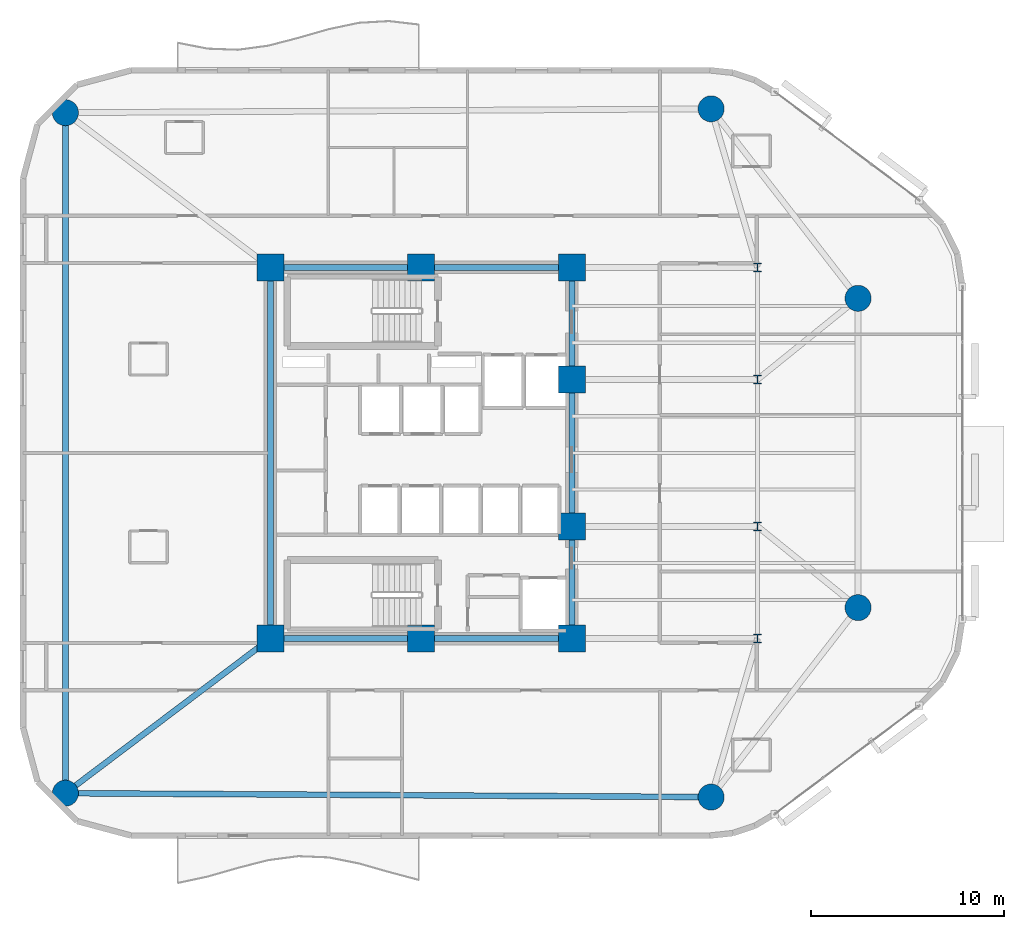
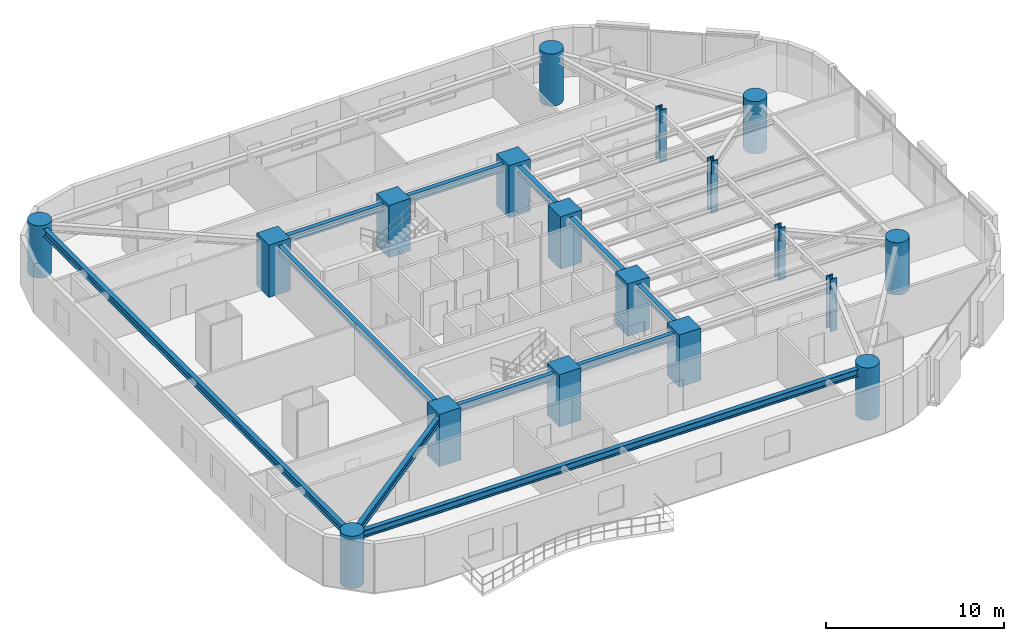
# One storey, part 1 of 15: 18 columns, 9 beams.
"""IFC4 building model written with IfcOpenShell, lengths in metres."""

from ifc_helpers import new_model, si_unit, direction, frame, origin, origin_2d, place, context, subcontext, project, spatial, rectangle, circle, i_section, extrude, material, material_profile, profile_set, type_object, element, save


model = new_model("IFC4")

# Units and contexts
model_context = context("Model", 3, precision=1e-05, world=origin(), true_north=direction((0.0, 1.0)))
body_context = subcontext(model_context, "Body", "Model", "MODEL_VIEW")
ifc_project = project(units=[si_unit("LENGTHUNIT", "METRE"), si_unit("AREAUNIT", "SQUARE_METRE"), si_unit("VOLUMEUNIT", "CUBIC_METRE"), si_unit("PLANEANGLEUNIT", "RADIAN"), si_unit("MASSUNIT", "GRAM", prefix="KILO")], contexts=[model_context])

# Site, building, storey
site_placement = place(None, origin())
site = spatial("IfcSite", under=ifc_project, at=site_placement, CompositionType="ELEMENT")
building_placement = place(site_placement, origin())
building = spatial("IfcBuilding", under=site, at=building_placement, Name="An Khanh Terracotta Commons", CompositionType="ELEMENT")
storey_placement = place(building_placement, frame((0.0, 0.0, 129.5)))
storey = spatial("IfcBuildingStorey", under=building, at=storey_placement, Name="L34", CompositionType="ELEMENT", Elevation=129.5)

# Columns
ifc_material_1 = material(Name="Concrete C70/85", Category="concrete")
ifc_material_profile_1 = material_profile(ifc_material_1, circle(Radius=0.675048828125, at=origin_2d()), Name="CFST1350")
ifc_profile_set_1 = profile_set([ifc_material_profile_1], Name="Concrete C70/85")
column_type_1 = type_object("IfcColumnType", Name="COL-CFST1350", PredefinedType="COLUMN", material=ifc_profile_set_1)
for number, where, z_axis, x_axis, name in (
    (1, (11.0, 6.39990234375, 0.0), (0.0, 0.0, 1.0), (1.0, 0.0, 0.0), "L34 Perimeter CFST Mega-Column MC-01"),
    (2, (44.39990234375, 6.199951171875, 0.0), (0.0, 0.0, 1.0), (1.0, 0.0, 0.0), "L34 Perimeter CFST Mega-Column MC-02"),
    (3, (52.0, 16.0, 0.0), (0.0, 0.0, 1.0), (1.0, 0.0, 0.0), "L34 Perimeter CFST Mega-Column MC-03"),
    (4, (52.0, 32.0, 0.0), (0.0, 0.0, 1.0), (1.0, 0.0, 0.0), "L34 Perimeter CFST Mega-Column MC-04"),
    (5, (44.39990234375, 41.800048828125, 0.0), (0.0, 0.0, 1.0), (1.0, 0.0, 0.0), "L34 Perimeter CFST Mega-Column MC-05"),
    (6, (11.0, 41.60009765625, 0.0), (0.0, 0.0, 1.0), (1.0, 0.0, 0.0), "L34 Perimeter CFST Mega-Column MC-06"),
):
    element("IfcColumn", number, at=place(storey_placement, frame(where, z_axis=z_axis, x_axis=x_axis)), inside=storey, type_object=column_type_1, Name=name, PredefinedType="COLUMN", context=body_context, shape_type="SweptSolid", body=[
        extrude(circle(Radius=0.675048828125, at=origin_2d()), origin(), (0.0, 0.0, 1.0), 3.60009765625),
    ])
ifc_material_2 = material(Name="Steel S460ML", Category="steel")
ifc_material_profile_2 = material_profile(ifc_material_2, i_section(OverallWidth=0.4169921875, OverallDepth=0.47705078125, WebThickness=0.035888671875, FlangeThickness=0.057373046875, FilletRadius=0.014892578125, at=origin_2d()), Name="HD400x463")
ifc_profile_set_2 = profile_set([ifc_material_profile_2], Name="Steel S460ML")
column_type_2 = type_object("IfcColumnType", Name="COL-HD400x463", PredefinedType="COLUMN", material=ifc_profile_set_2)
for number, where, z_axis, x_axis, name in (
    (7, (46.800048828125, 14.39990234375, 0.0), (0.0, 0.0, 1.0), (1.0, 0.0, 0.0), "L34 Interior Frame Column TC-01"),
    (8, (46.800048828125, 20.199951171875, 0.0), (0.0, 0.0, 1.0), (1.0, 0.0, 0.0), "L34 Interior Frame Column TC-02"),
    (9, (46.800048828125, 27.800048828125, 0.0), (0.0, 0.0, 1.0), (1.0, 0.0, 0.0), "L34 Interior Frame Column TC-03"),
    (10, (46.800048828125, 33.60009765625, 0.0), (0.0, 0.0, 1.0), (1.0, 0.0, 0.0), "L34 Interior Frame Column TC-04"),
):
    element("IfcColumn", number, at=place(storey_placement, frame(where, z_axis=z_axis, x_axis=x_axis)), inside=storey, type_object=column_type_2, Name=name, PredefinedType="COLUMN", context=body_context, shape_type="SweptSolid", body=[
        extrude(i_section(OverallWidth=0.4169921875, OverallDepth=0.47705078125, WebThickness=0.035888671875, FlangeThickness=0.057373046875, FilletRadius=0.014892578125, at=origin_2d()), origin(), (0.0, 0.0, 1.0), 3.60009765625),
    ])
ifc_material_profile_3 = material_profile(ifc_material_1, rectangle(XDim=1.39990234375, YDim=1.39990234375, at=origin_2d()), Name="RC1400x1400")
ifc_profile_set_3 = profile_set([ifc_material_profile_3], Name="Concrete C70/85")
column_type_3 = type_object("IfcColumnType", Name="COL-RC1400x1400", PredefinedType="COLUMN", material=ifc_profile_set_3)
for number, where, z_axis, x_axis, name in (
    (11, (21.60009765625, 14.39990234375, 0.0), (0.0, 0.0, 1.0), (1.0, 0.0, 0.0), "L34 Core Boundary Column CC-01"),
    (12, (29.39990234375, 14.39990234375, 0.0), (0.0, 0.0, 1.0), (1.0, 0.0, 0.0), "L34 Core Boundary Column CC-02"),
    (13, (37.199951171875, 14.39990234375, 0.0), (0.0, 0.0, 1.0), (1.0, 0.0, 0.0), "L34 Core Boundary Column CC-03"),
    (14, (37.199951171875, 20.199951171875, 0.0), (0.0, 0.0, 1.0), (1.0, 0.0, 0.0), "L34 Core Boundary Column CC-04"),
    (15, (37.199951171875, 27.800048828125, 0.0), (0.0, 0.0, 1.0), (1.0, 0.0, 0.0), "L34 Core Boundary Column CC-05"),
    (16, (37.199951171875, 33.60009765625, 0.0), (0.0, 0.0, 1.0), (1.0, 0.0, 0.0), "L34 Core Boundary Column CC-06"),
    (17, (29.39990234375, 33.60009765625, 0.0), (0.0, 0.0, 1.0), (1.0, 0.0, 0.0), "L34 Core Boundary Column CC-07"),
    (18, (21.60009765625, 33.60009765625, 0.0), (0.0, 0.0, 1.0), (1.0, 0.0, 0.0), "L34 Core Boundary Column CC-08"),
):
    element("IfcColumn", number, at=place(storey_placement, frame(where, z_axis=z_axis, x_axis=x_axis)), inside=storey, type_object=column_type_3, Name=name, PredefinedType="COLUMN", context=body_context, shape_type="SweptSolid", body=[
        extrude(rectangle(XDim=1.39990234375, YDim=1.39990234375, at=origin_2d()), origin(), (0.0, 0.0, 1.0), 3.60009765625),
    ])

# Beams
ifc_material_3 = material(Name="Steel S355J2", Category="steel")
ifc_material_profile_4 = material_profile(ifc_material_3, i_section(OverallWidth=0.300048828125, OverallDepth=0.449951171875, WebThickness=0.013916015625, FlangeThickness=0.02587890625, FilletRadius=0.027099609375, at=origin_2d()), Name="HEB450")
ifc_profile_set_4 = profile_set([ifc_material_profile_4], Name="Steel S355J2")
beam_type_1 = type_object("IfcBeamType", Name="BM-HEB450", PredefinedType="BEAM", material=ifc_profile_set_4)
beam_1_placement = place(storey_placement, frame((37.199951171875, 14.39990234375, 3.135009765625), z_axis=(0.0, 1.0, 0.0), x_axis=(-1.0, 0.0, 0.0)))
element("IfcBeam", 19, at=beam_1_placement, inside=storey, type_object=beam_type_1, Name="L34 Core East Coupling Girder 1", PredefinedType="BEAM", context=body_context, shape_type="SweptSolid", body=[
    extrude(i_section(OverallWidth=0.300048828125, OverallDepth=0.449951171875, WebThickness=0.013916015625, FlangeThickness=0.02587890625, FilletRadius=0.027099609375, at=origin_2d()), origin(), (0.0, 0.0, 1.0), 5.800048828125),
])
beam_2_placement = place(storey_placement, frame((37.199951171875, 20.199951171875, 3.135009765625), z_axis=(0.0, 1.0, 0.0), x_axis=(-1.0, 0.0, 0.0)))
element("IfcBeam", 20, at=beam_2_placement, inside=storey, type_object=beam_type_1, Name="L34 Core East Coupling Girder 2", PredefinedType="BEAM", context=body_context, shape_type="SweptSolid", body=[
    extrude(i_section(OverallWidth=0.300048828125, OverallDepth=0.449951171875, WebThickness=0.013916015625, FlangeThickness=0.02587890625, FilletRadius=0.027099609375, at=origin_2d()), origin(), (0.0, 0.0, 1.0), 7.60009765625),
])
beam_3_placement = place(storey_placement, frame((37.199951171875, 27.800048828125, 3.135009765625), z_axis=(0.0, 1.0, 0.0), x_axis=(-1.0, 0.0, 0.0)))
element("IfcBeam", 21, at=beam_3_placement, inside=storey, type_object=beam_type_1, Name="L34 Core East Coupling Girder 3", PredefinedType="BEAM", context=body_context, shape_type="SweptSolid", body=[
    extrude(i_section(OverallWidth=0.300048828125, OverallDepth=0.449951171875, WebThickness=0.013916015625, FlangeThickness=0.02587890625, FilletRadius=0.027099609375, at=origin_2d()), origin(), (0.0, 0.0, 1.0), 5.800048828125),
])
beam_4_placement = place(storey_placement, frame((21.60009765625, 14.39990234375, 3.135009765625), z_axis=(0.0, 1.0, 0.0), x_axis=(-1.0, 0.0, 0.0)))
element("IfcBeam", 22, at=beam_4_placement, inside=storey, type_object=beam_type_1, Name="L34 Core West Coupling Girder", PredefinedType="BEAM", context=body_context, shape_type="SweptSolid", body=[
    extrude(i_section(OverallWidth=0.300048828125, OverallDepth=0.449951171875, WebThickness=0.013916015625, FlangeThickness=0.02587890625, FilletRadius=0.027099609375, at=origin_2d()), origin(), (0.0, 0.0, 1.0), 19.2001953125),
])
ifc_material_profile_5 = material_profile(ifc_material_3, i_section(OverallWidth=0.300048828125, OverallDepth=0.5, WebThickness=0.014404296875, FlangeThickness=0.028076171875, FilletRadius=0.027099609375, at=origin_2d()), Name="HEB500")
ifc_profile_set_5 = profile_set([ifc_material_profile_5], Name="Steel S355J2")
beam_type_2 = type_object("IfcBeamType", Name="BM-HEB500", PredefinedType="BEAM", material=ifc_profile_set_5)
for number, where, z_axis, x_axis, name in (
    (23, (21.60009765625, 14.39990234375, 3.110107421875), (1.0, 0.0, 0.0), (0.0, 1.0, 0.0), "L34 Core South Coupling Girder"),
    (24, (21.60009765625, 33.60009765625, 3.110107421875), (1.0, 0.0, 0.0), (0.0, 1.0, 0.0), "L34 Core North Coupling Girder"),
):
    element("IfcBeam", number, at=place(storey_placement, frame(where, z_axis=z_axis, x_axis=x_axis)), inside=storey, type_object=beam_type_2, Name=name, PredefinedType="BEAM", context=body_context, shape_type="SweptSolid", body=[
        extrude(i_section(OverallWidth=0.300048828125, OverallDepth=0.5, WebThickness=0.014404296875, FlangeThickness=0.028076171875, FilletRadius=0.027099609375, at=origin_2d()), origin(), (0.0, 0.0, 1.0), 15.599853515625),
    ])
beam_5_placement = place(storey_placement, frame((11.0, 6.39990234375, 3.110107421875), z_axis=(0.999982080914, -0.005986472262, 0.0), x_axis=(0.005986472262, 0.999982080914, 0.0)))
element("IfcBeam", 25, at=beam_5_placement, inside=storey, type_object=beam_type_2, Name="L34 Perimeter Ring Spandrel 1", PredefinedType="BEAM", context=body_context, shape_type="SweptSolid", body=[
    extrude(i_section(OverallWidth=0.300048828125, OverallDepth=0.5, WebThickness=0.014404296875, FlangeThickness=0.028076171875, FilletRadius=0.027099609375, at=origin_2d()), origin(), (0.0, 0.0, 1.0), 33.400390625),
])
beam_6_placement = place(storey_placement, frame((11.0, 41.60009765625, 3.110107421875), z_axis=(0.0, -1.0, 0.0), x_axis=(1.0, 0.0, 0.0)))
element("IfcBeam", 26, at=beam_6_placement, inside=storey, type_object=beam_type_2, Name="L34 Perimeter Ring Spandrel 6", PredefinedType="BEAM", context=body_context, shape_type="SweptSolid", body=[
    extrude(i_section(OverallWidth=0.300048828125, OverallDepth=0.5, WebThickness=0.014404296875, FlangeThickness=0.028076171875, FilletRadius=0.027099609375, at=origin_2d()), origin(), (0.0, 0.0, 1.0), 35.2001953125),
])
beam_7_placement = place(storey_placement, frame((11.0, 6.39990234375, 3.110107421875), z_axis=(0.798191818888, 0.602403370061, 0.0), x_axis=(-0.602403370061, 0.798191818888, 0.0)))
element("IfcBeam", 27, at=beam_7_placement, inside=storey, type_object=beam_type_2, Name="L34 Mega-Column Tie Girder 1", PredefinedType="BEAM", context=body_context, shape_type="SweptSolid", body=[
    extrude(i_section(OverallWidth=0.300048828125, OverallDepth=0.5, WebThickness=0.014404296875, FlangeThickness=0.028076171875, FilletRadius=0.027099609375, at=origin_2d()), origin(), (0.0, 0.0, 1.0), 13.280029296875),
])

save(model, "model.ifc")
